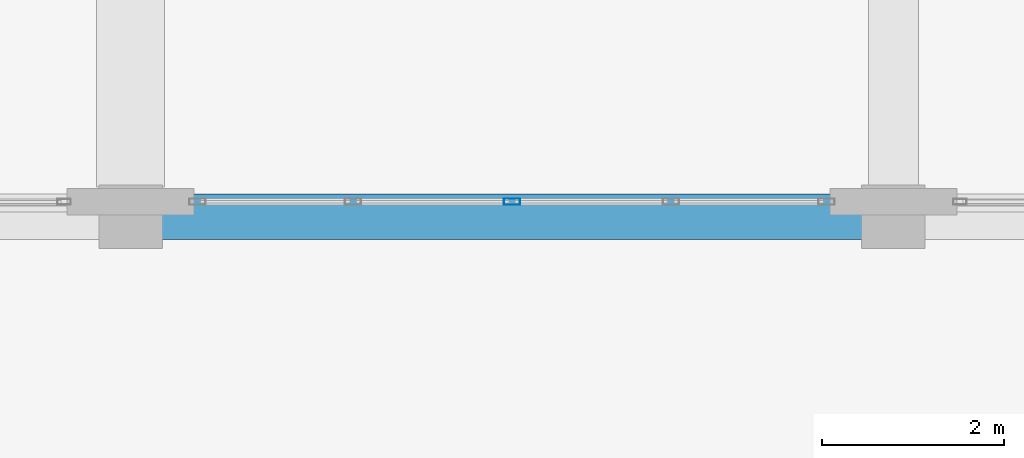
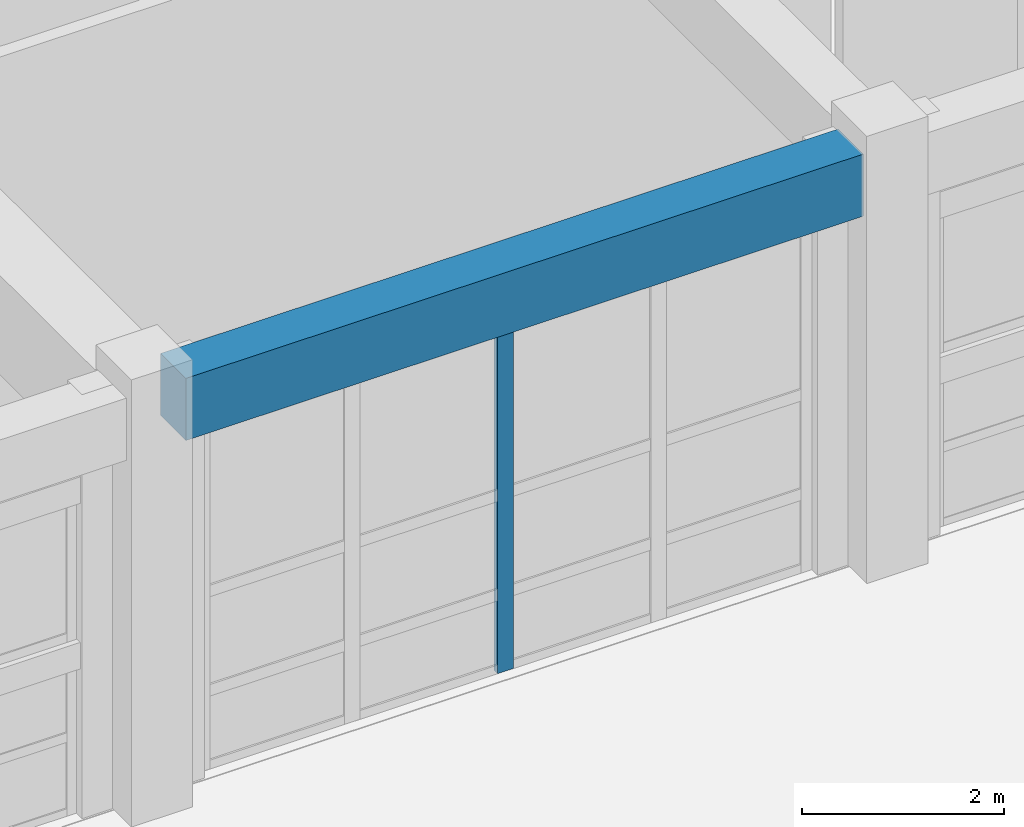
# One storey, part 64 of 148: 1 beam, 1 member, 1 element without a shape of its own.
"""IFC4 building model written with IfcOpenShell, lengths in metres."""

from ifc_helpers import new_model, si_unit, direction, frame, origin, origin_2d, place, context, subcontext, project, spatial, rectangle, hollow_rectangle, extrude, material, layer, layer_set, material_profile, profile_set, type_object, element, aggregate, save


model = new_model("IFC4")

# Units and contexts
model_context = context("Model", 3, precision=1e-05, world=origin(), true_north=direction((0.0, 1.0)))
body_context = subcontext(model_context, "Body", "Model", "MODEL_VIEW")
ifc_project = project(units=[si_unit("LENGTHUNIT", "METRE"), si_unit("AREAUNIT", "SQUARE_METRE"), si_unit("VOLUMEUNIT", "CUBIC_METRE"), si_unit("PLANEANGLEUNIT", "RADIAN"), si_unit("MASSUNIT", "GRAM", prefix="KILO")], contexts=[model_context])

# Site, building, storey
site_placement = place(None, origin())
site = spatial("IfcSite", under=ifc_project, at=site_placement, CompositionType="ELEMENT")
building_placement = place(site_placement, origin())
building = spatial("IfcBuilding", under=site, at=building_placement, Name="Quendrovan Civic Courthouse", CompositionType="ELEMENT")
storey_placement = place(building_placement, origin())
storey = spatial("IfcBuildingStorey", under=building, at=storey_placement, Name="L01", CompositionType="ELEMENT", Elevation=0.0)

# Beam
ifc_material_1 = material(Name="Concrete C40/50", Category="concrete")
ifc_material_profile_1 = material_profile(ifc_material_1, rectangle(XDim=0.5, YDim=0.75, at=origin_2d()), Name="RC-BM-500x750")
ifc_profile_set_1 = profile_set([ifc_material_profile_1], Name="Concrete C40/50")
beam_type = type_object("IfcBeamType", Name="BM-RC750", PredefinedType="SPANDREL", material=ifc_profile_set_1)
beam_placement = place(storey_placement, frame((75.929931640625, 64.800048828125, 4.7451171875), z_axis=(1.0, 0.0, 0.0), x_axis=(0.0, 1.0, 0.0)))
element("IfcBeam", 1, at=beam_placement, inside=storey, type_object=beam_type, Name="L01 Girder X0294", PredefinedType="SPANDREL", context=body_context, shape_type="SweptSolid", body=[
    extrude(rectangle(XDim=0.5, YDim=0.75, at=origin_2d()), origin(), (0.0, 0.0, 1.0), 7.739990234375),
])

# Curtain wall, member
ifc_material_2 = material(Name="Bronze anodised aluminium and low-E glass", Category="aluminium")
ifc_layer = layer(ifc_material_2, 0.179931640625, Name="Bronze anodised aluminium and low-E glass")
ifc_layer_set = layer_set([ifc_layer], Name="Bronze anodised aluminium and low-E glass")
curtain_wall_type = type_object("IfcCurtainWallType", Name="CW-U70x42", PredefinedType="USERDEFINED", material=ifc_layer_set)
curtain_wall_placement = place(storey_placement, origin())
curtain_wall = element("IfcCurtainWall", 2, at=curtain_wall_placement, inside=storey, type_object=curtain_wall_type, Name="L01 Unitised Hurricane Curtain Wall CW-060", ObjectType="UNITISED CURTAIN WALL", PredefinedType="USERDEFINED")
ifc_material_3 = material(Name="Bronze anodised aluminium", Category="aluminium")
ifc_material_profile_2 = material_profile(ifc_material_3, hollow_rectangle(XDim=0.070068359375, YDim=0.179931640625, WallThickness=0.00390625, at=origin_2d()), Name="CW-MULL-70x180")
ifc_profile_set_2 = profile_set([ifc_material_profile_2], Name="Bronze anodised aluminium")
member_type = type_object("IfcMemberType", Name="CW-MULL-A", PredefinedType="MULLION", material=ifc_profile_set_2)
member_placement = place(storey_placement, frame((79.800048828125, 64.965087890625, 0.0), z_axis=(0.0, 0.0, 1.0), x_axis=(0.0, -1.0, 0.0)))
member = element("IfcMember", 3, at=member_placement, type_object=member_type, Name="CW-060 mullion 3", PredefinedType="MULLION", context=body_context, shape_type="SweptSolid", body=[
    extrude(hollow_rectangle(XDim=0.070068359375, YDim=0.179931640625, WallThickness=0.00390625, at=origin_2d()), origin(), (0.0, 0.0, 1.0), 4.199951171875),
])
aggregate(curtain_wall, [member])

save(model, "model.ifc")
